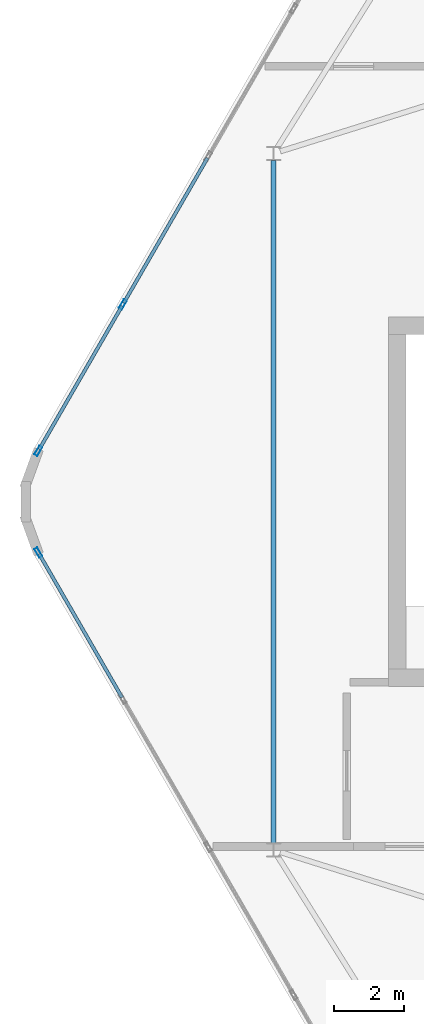
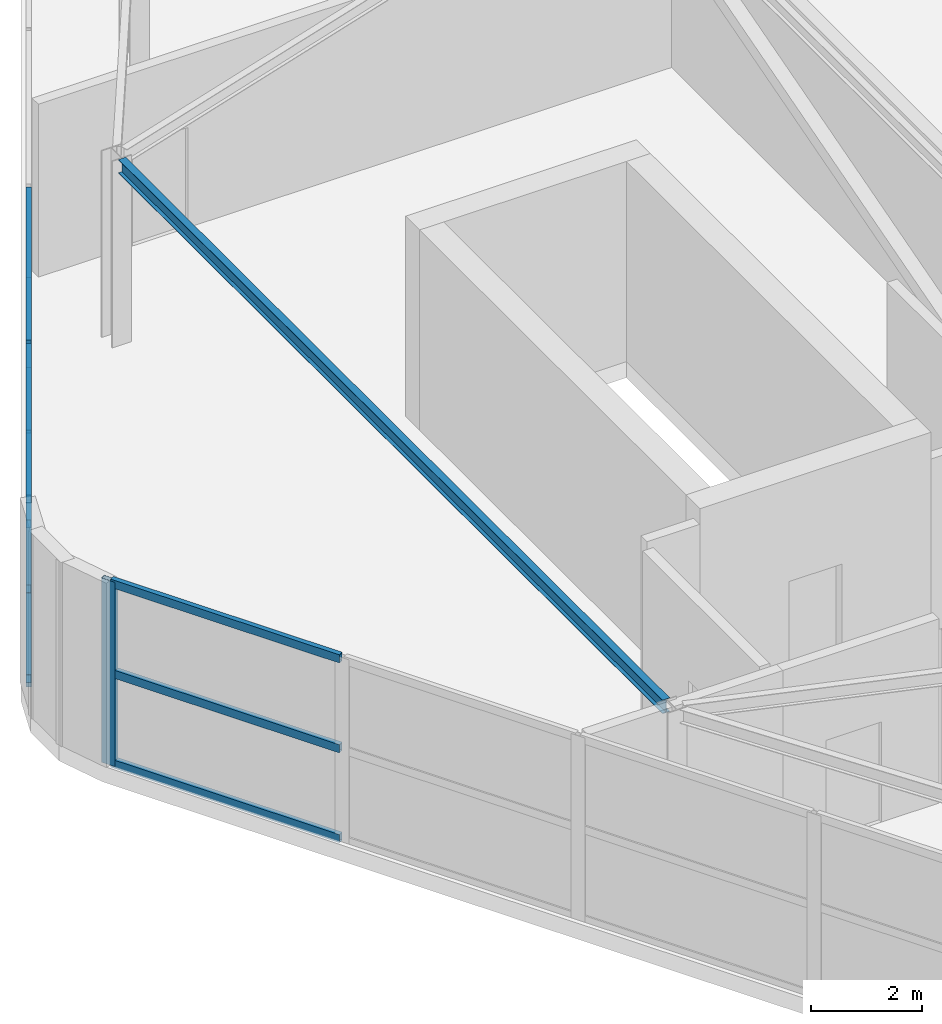
# One storey, part 4 of 14: 12 members, 1 beam, 2 elements without a shape of their own.
"""IFC4 building model written with IfcOpenShell, lengths in metres."""

import ifcopenshell
import ifcopenshell.guid

model = None  # the IFC model being written
_history = None  # IfcOwnerHistory: only IFC2X3 demands one
_inside = {}  # id of a spatial element -> (the spatial element, [elements in it])
_under = {}  # id of a project, library or spatial element -> (it, [spatial elements below it])
_declared = {}  # id of a project -> (the project, [libraries it declares])
_typed = {}  # id of a type object -> (the type object, [elements of that type])
_made_of = {}  # id of a material, layer set ... -> (it, [elements and type objects made of it])


def new_model(schema):
    """Start an empty IFC model of exactly this schema.

    Asked for "IFC4X3", IfcOpenShell would pick the latest addendum, in which some entities
    have other attributes; the version numbers below select the first issue.
    IFC2X3 requires an IfcOwnerHistory on every rooted entity: one is made here for all.
    """
    global model, _history
    if schema == "IFC4X3":
        model = ifcopenshell.file(schema_version=(4, 3, 0, 0))
    else:
        model = ifcopenshell.file(schema=schema)
    _inside.clear()
    _under.clear()
    _declared.clear()
    _typed.clear()
    _made_of.clear()
    _history = None
    if model.schema == "IFC2X3":
        org = make("IfcOrganization", Name="unknown")
        user = make(
            "IfcPersonAndOrganization",
            ThePerson=make("IfcPerson", FamilyName="unknown"),
            TheOrganization=org,
        )
        app = make(
            "IfcApplication",
            ApplicationDeveloper=org,
            Version="unknown",
            ApplicationFullName="unknown",
            ApplicationIdentifier="unknown",
        )
        _history = make(
            "IfcOwnerHistory",
            OwningUser=user,
            OwningApplication=app,
            ChangeAction="ADDED",
            CreationDate=0,
        )
    return model


def make(cls, **values):
    """One entity of the class cls with the attributes given. An attribute that is None is left unset."""
    return model.create_entity(
        cls, **{name: value for name, value in values.items() if value is not None}
    )


def rooted(cls, **values):
    """An entity with a GlobalId (a new one), such as an element, a storey or a relation."""
    return make(cls, GlobalId=ifcopenshell.guid.new(), OwnerHistory=_history, **values)


def si_unit(unit_type, name, prefix=None):
    """IfcSIUnit, for example si_unit("LENGTHUNIT", "METRE", prefix="MILLI")."""
    return make("IfcSIUnit", UnitType=unit_type, Prefix=prefix, Name=name)


def assignment(units):
    """IfcUnitAssignment: the units of a project."""
    return None if units is None else make("IfcUnitAssignment", Units=units)


def point(xyz):
    """IfcCartesianPoint."""
    return None if xyz is None else make("IfcCartesianPoint", Coordinates=xyz)


def direction(xyz):
    """IfcDirection."""
    return None if xyz is None else make("IfcDirection", DirectionRatios=xyz)


def frame(location, z_axis=None, x_axis=None):
    """IfcAxis2Placement3D, a coordinate frame: its origin and axes. An axis left out is left unset."""
    return make(
        "IfcAxis2Placement3D",
        Location=point(location),
        Axis=direction(z_axis),
        RefDirection=direction(x_axis),
    )


def frame_2d(location, x_axis=None):
    """IfcAxis2Placement2D, a coordinate frame in the plane: its origin and x axis."""
    return make(
        "IfcAxis2Placement2D", Location=point(location), RefDirection=direction(x_axis)
    )


def origin():
    """The frame at (0, 0, 0) with its axes left unset."""
    return frame((0.0, 0.0, 0.0))


def origin_2d():
    """The frame at (0, 0) in the plane with its x axis left unset."""
    return frame_2d((0.0, 0.0))


def place(relative_to, where):
    """IfcLocalPlacement: puts the frame where relative to a parent placement (None: the world)."""
    return make(
        "IfcLocalPlacement", PlacementRelTo=relative_to, RelativePlacement=where
    )


def context(
    kind, dimensions, precision=None, world=None, true_north=None, identifier=None
):
    """IfcGeometricRepresentationContext, for example the 3D "Model" context."""
    return make(
        "IfcGeometricRepresentationContext",
        ContextIdentifier=identifier,
        ContextType=kind,
        CoordinateSpaceDimension=dimensions,
        Precision=precision,
        WorldCoordinateSystem=world,
        TrueNorth=true_north,
    )


def subcontext(parent, identifier, kind, view, scale=None):
    """IfcGeometricRepresentationSubContext, for example "Body" below "Model"."""
    return make(
        "IfcGeometricRepresentationSubContext",
        ContextIdentifier=identifier,
        ContextType=kind,
        ParentContext=parent,
        TargetScale=scale,
        TargetView=view,
    )


def project(units=None, contexts=None):
    """IfcProject with its units and contexts."""
    return rooted(
        "IfcProject",
        Name="project",
        RepresentationContexts=contexts,
        UnitsInContext=assignment(units),
    )


def spatial(cls, under=None, at=None, **own):
    """A site, building, storey or space (cls), placed at a placement, below another one or the project."""
    s = rooted(cls, ObjectPlacement=at, **own)
    if under is not None:
        _under.setdefault(under.id(), (under, []))[1].append(s)
    return s


def profile(cls, at=None, kind="AREA", **sizes):
    """A parametric profile (cls). Its sizes go by their IFC names, for example OverallWidth=200.0."""
    return make(cls, ProfileType=kind, Position=at, **sizes)


def hollow_rectangle(**sizes):
    """IfcRectangleHollowProfileDef."""
    return profile("IfcRectangleHollowProfileDef", **sizes)


def i_section(**sizes):
    """IfcIShapeProfileDef."""
    return profile("IfcIShapeProfileDef", **sizes)


def extrude(swept, where, along, depth):
    """IfcExtrudedAreaSolid: the profile swept, set in the frame where, extruded along a direction by depth."""
    return make(
        "IfcExtrudedAreaSolid",
        SweptArea=swept,
        Position=where,
        ExtrudedDirection=direction(along),
        Depth=depth,
    )


def shape(context_of_items, identifier, shape_type, items):
    """IfcShapeRepresentation: the items that make up one representation, for example the "Body"."""
    return make(
        "IfcShapeRepresentation",
        ContextOfItems=context_of_items,
        RepresentationIdentifier=identifier,
        RepresentationType=shape_type,
        Items=items,
    )


def material(Name=None, Category=None):
    """IfcMaterial."""
    return make("IfcMaterial", Name=Name, Category=Category)


def material_profile(
    of_material, cross_section, Name=None, Category=None, Priority=None
):
    """IfcMaterialProfile: a cross section and its material."""
    return make(
        "IfcMaterialProfile",
        Name=Name,
        Material=of_material,
        Profile=cross_section,
        Priority=Priority,
        Category=Category,
    )


def profile_set(profiles, Name=None, composite=None):
    """IfcMaterialProfileSet."""
    return make(
        "IfcMaterialProfileSet",
        Name=Name,
        MaterialProfiles=profiles,
        CompositeProfile=composite,
    )


def made_of(thing, what):
    """Note that an element or type object is made of a material, layer set ...; save() writes the relation."""
    if what is not None:
        _made_of.setdefault(what.id(), (what, []))[1].append(thing)
    return thing


def type_object(cls, material=None, **own):
    """A type object (cls), such as IfcWallType, which elements share."""
    return made_of(rooted(cls, **own), material)


def element(
    cls,
    number,
    at=None,
    inside=None,
    cuts=None,
    type_object=None,
    material=None,
    context=None,
    identifier="Body",
    shape_type=None,
    held_by="IfcProductDefinitionShape",
    body=None,
    shapes=None,
    **own,
):
    """One element of the class cls, such as IfcWall. Its Tag is "e" and its number.

    at: its placement. inside: the storey or other place that contains it. cuts: it is an
    opening in that element (IfcRelVoidsElement). A single representation is given by context,
    identifier, shape_type and body (its items); several are given by shapes. held_by: the class
    of the entity that holds the representations. save() writes the other relations.
    """
    e = rooted(cls, Tag="e%d" % number, ObjectPlacement=at, **own)
    if body is not None:
        shapes = [shape(context, identifier, shape_type, body)]
    if shapes is not None:
        e.Representation = make(held_by, Representations=shapes)
    if inside is not None:
        _inside.setdefault(inside.id(), (inside, []))[1].append(e)
    if cuts is not None:
        rooted(
            "IfcRelVoidsElement", RelatingBuildingElement=cuts, RelatedOpeningElement=e
        )
    if type_object is not None:
        _typed.setdefault(type_object.id(), (type_object, []))[1].append(e)
    return made_of(e, material)


def aggregate(whole, parts):
    """IfcRelAggregates: a whole, such as a stair, and the parts it consists of."""
    return rooted("IfcRelAggregates", RelatingObject=whole, RelatedObjects=parts)


def save(model, path):
    """Write the relations noted so far, then the file.

    IfcRelAggregates (storeys below a building ...), IfcRelContainedInSpatialStructure (elements
    in a storey), IfcRelDefinesByType, IfcRelAssociatesMaterial and IfcRelDeclares: one each for
    every whole, place, type object, material and project.
    """
    for whole, parts in _under.values():
        aggregate(whole, parts)
    for where, things in _inside.values():
        rooted(
            "IfcRelContainedInSpatialStructure",
            RelatedElements=things,
            RelatingStructure=where,
        )
    for kind, things in _typed.values():
        rooted("IfcRelDefinesByType", RelatedObjects=things, RelatingType=kind)
    for what, things in _made_of.values():
        rooted("IfcRelAssociatesMaterial", RelatedObjects=things, RelatingMaterial=what)
    for by, libraries in _declared.values():
        rooted("IfcRelDeclares", RelatingContext=by, RelatedDefinitions=libraries)
    model.write(path)


model = new_model("IFC4")

# Units and contexts
model_context = context("Model", 3, precision=1e-05, world=origin(), true_north=direction((0.0, 1.0)))
body_context = subcontext(model_context, "Body", "Model", "MODEL_VIEW")
ifc_project = project(units=[si_unit("LENGTHUNIT", "METRE"), si_unit("AREAUNIT", "SQUARE_METRE"), si_unit("VOLUMEUNIT", "CUBIC_METRE"), si_unit("PLANEANGLEUNIT", "RADIAN"), si_unit("MASSUNIT", "GRAM", prefix="KILO")], contexts=[model_context])

# Site, building, storey
site_placement = place(None, origin())
site = spatial("IfcSite", under=ifc_project, at=site_placement, CompositionType="ELEMENT")
building_placement = place(site_placement, origin())
building = spatial("IfcBuilding", under=site, at=building_placement, Name="Zuhravey Tower", CompositionType="ELEMENT")
storey_placement = place(building_placement, frame((0.0, 0.0, 379.0)))
storey = spatial("IfcBuildingStorey", under=building, at=storey_placement, Name="L96", CompositionType="ELEMENT", Elevation=379.0)

# Beam
ifc_material_1 = material(Name="Steel SM355", Category="steel")
ifc_material_profile_1 = material_profile(ifc_material_1, i_section(OverallWidth=0.14990234375, OverallDepth=0.300048828125, WebThickness=0.007080078125, FlangeThickness=0.010009765625, at=origin_2d()), Name="H-300x150x7x10")
ifc_profile_set_1 = profile_set([ifc_material_profile_1], Name="Steel SM355")
beam_type = type_object("IfcBeamType", Name="Crown Roof Purlin H300x150", PredefinedType="USERDEFINED", material=ifc_profile_set_1)
beam_placement = place(storey_placement, frame((15.800048828125, 22.2041015625, 3.949951171875), z_axis=(0.0, 1.0, 0.0), x_axis=(-1.0, 0.0, 0.0)))
element("IfcBeam", 1, at=beam_placement, inside=storey, type_object=beam_type, Name="L96 CRP1 BM-L96-WCR-0-1", ObjectType="PURLIN", PredefinedType="USERDEFINED", context=body_context, shape_type="SweptSolid", body=[
    extrude(i_section(OverallWidth=0.14990234375, OverallDepth=0.300048828125, WebThickness=0.007080078125, FlangeThickness=0.010009765625, at=origin_2d()), origin(), (0.0, 0.0, 1.0), 19.591796875),
])

# Curtain wall, member
ifc_material_2 = material(Name="Thermally broken anodised aluminium", Category="aluminium")
curtain_wall_type = type_object("IfcCurtainWallType", Name="Split-Top Crown Screened Curtain Wall CW6", PredefinedType="NOTDEFINED", material=ifc_material_2)
curtain_wall_1_placement = place(storey_placement, origin())
curtain_wall_1 = element("IfcCurtainWall", 2, at=curtain_wall_1_placement, inside=storey, type_object=curtain_wall_type, Name="L96 CW6 CW6-L96-WEST-04", PredefinedType="NOTDEFINED")
ifc_material_3 = material(Name="Anodised aluminium", Category="aluminium")
ifc_material_profile_2 = material_profile(ifc_material_3, hollow_rectangle(XDim=0.10009765625, YDim=0.2900390625, WallThickness=0.006103515625, at=origin_2d()), Name="ALU-RHS-100x290x6")
ifc_profile_set_2 = profile_set([ifc_material_profile_2], Name="Anodised aluminium")
member_type_1 = type_object("IfcMemberType", Name="Heavy Tall-Storey Mullion 100x220", PredefinedType="MULLION", material=ifc_profile_set_2)
member_1_placement = place(storey_placement, frame((9.0439453125, 30.541015625, 0.0), z_axis=(0.0, 0.0, 1.0), x_axis=(-0.866027063754, -0.499997124838, 0.0)))
member_1 = element("IfcMember", 3, at=member_1_placement, type_object=member_type_1, Name="CW6 mullion 6", PredefinedType="MULLION", context=body_context, shape_type="SweptSolid", body=[
    extrude(hollow_rectangle(XDim=0.10009765625, YDim=0.2900390625, WallThickness=0.006103515625, at=origin_2d()), origin(), (0.0, 0.0, 1.0), 4.050048828125),
])

# Curtain wall, members
curtain_wall_2_placement = place(storey_placement, origin())
curtain_wall_2 = element("IfcCurtainWall", 4, at=curtain_wall_2_placement, inside=storey, type_object=curtain_wall_type, Name="L96 CW6 CW6-L96-WEST-08", PredefinedType="NOTDEFINED")
member_2_placement = place(storey_placement, frame((9.0439453125, 33.458984375, 0.0), z_axis=(0.0, 0.0, 1.0), x_axis=(-0.866027063754, 0.499997124838, 0.0)))
member_2 = element("IfcMember", 5, at=member_2_placement, type_object=member_type_1, Name="CW6 mullion 1", PredefinedType="MULLION", context=body_context, shape_type="SweptSolid", body=[
    extrude(hollow_rectangle(XDim=0.10009765625, YDim=0.2900390625, WallThickness=0.006103515625, at=origin_2d()), origin(), (0.0, 0.0, 1.0), 4.050048828125),
])
member_3_placement = place(storey_placement, frame((11.471923828125, 37.6640625, 0.0), z_axis=(0.0, 0.0, 1.0), x_axis=(-0.866027063754, 0.499997124838, 0.0)))
member_3 = element("IfcMember", 6, at=member_3_placement, type_object=member_type_1, Name="CW6 mullion 2", PredefinedType="MULLION", context=body_context, shape_type="SweptSolid", body=[
    extrude(hollow_rectangle(XDim=0.10009765625, YDim=0.2900390625, WallThickness=0.006103515625, at=origin_2d()), origin(), (0.0, 0.0, 1.0), 4.050048828125),
])

# Member
ifc_material_profile_3 = material_profile(ifc_material_3, hollow_rectangle(XDim=0.10009765625, YDim=0.179931640625, WallThickness=0.006103515625, at=origin_2d()), Name="ALU-RHS-100x180x6")
ifc_profile_set_3 = profile_set([ifc_material_profile_3], Name="Anodised aluminium")
member_type_2 = type_object("IfcMemberType", Name="Tall-Storey Transom 100x180", PredefinedType="USERDEFINED", material=ifc_profile_set_3)
member_4_placement = place(storey_placement, frame((11.447021484375, 26.379150390625, 0.050048828125), z_axis=(-0.500003887042, 0.866023159588, 0.0), x_axis=(-0.866023159588, -0.500003887042, 0.0)))
member_4 = element("IfcMember", 7, at=member_4_placement, type_object=member_type_2, Name="CW6 transom 5.1", ObjectType="TRANSOM", PredefinedType="USERDEFINED", context=body_context, shape_type="SweptSolid", body=[
    extrude(hollow_rectangle(XDim=0.10009765625, YDim=0.179931640625, WallThickness=0.006103515625, at=origin_2d()), origin(), (0.0, 0.0, 1.0), 4.755859375),
])

member_5_placement = place(storey_placement, frame((11.447021484375, 26.379150390625, 2.02490234375), z_axis=(-0.500003887042, 0.866023159588, 0.0), x_axis=(-0.866023159588, -0.500003887042, 0.0)))
member_5 = element("IfcMember", 8, at=member_5_placement, type_object=member_type_2, Name="CW6 transom 5.2", ObjectType="TRANSOM", PredefinedType="USERDEFINED", context=body_context, shape_type="SweptSolid", body=[
    extrude(hollow_rectangle(XDim=0.10009765625, YDim=0.179931640625, WallThickness=0.006103515625, at=origin_2d()), origin(), (0.0, 0.0, 1.0), 4.755859375),
])

member_6_placement = place(storey_placement, frame((11.447021484375, 26.379150390625, 4.0), z_axis=(-0.500003887042, 0.866023159588, 0.0), x_axis=(-0.866023159588, -0.500003887042, 0.0)))
member_6 = element("IfcMember", 9, at=member_6_placement, type_object=member_type_2, Name="CW6 transom 5.3", ObjectType="TRANSOM", PredefinedType="USERDEFINED", context=body_context, shape_type="SweptSolid", body=[
    extrude(hollow_rectangle(XDim=0.10009765625, YDim=0.179931640625, WallThickness=0.006103515625, at=origin_2d()), origin(), (0.0, 0.0, 1.0), 4.755859375),
])

aggregate(curtain_wall_1, [member_1, member_4, member_5, member_6])

member_7_placement = place(storey_placement, frame((9.069091796875, 33.502197265625, 0.050048828125), z_axis=(0.500003887042, 0.866023159588, 0.0), x_axis=(-0.866023159588, 0.500003887042, 0.0)))
member_7 = element("IfcMember", 10, at=member_7_placement, type_object=member_type_2, Name="CW6 transom 1.1", ObjectType="TRANSOM", PredefinedType="USERDEFINED", context=body_context, shape_type="SweptSolid", body=[
    extrude(hollow_rectangle(XDim=0.10009765625, YDim=0.179931640625, WallThickness=0.006103515625, at=origin_2d()), origin(), (0.0, 0.0, 1.0), 4.755859375),
])

member_8_placement = place(storey_placement, frame((9.069091796875, 33.502197265625, 2.02490234375), z_axis=(0.500003887042, 0.866023159588, 0.0), x_axis=(-0.866023159588, 0.500003887042, 0.0)))
member_8 = element("IfcMember", 11, at=member_8_placement, type_object=member_type_2, Name="CW6 transom 1.2", ObjectType="TRANSOM", PredefinedType="USERDEFINED", context=body_context, shape_type="SweptSolid", body=[
    extrude(hollow_rectangle(XDim=0.10009765625, YDim=0.179931640625, WallThickness=0.006103515625, at=origin_2d()), origin(), (0.0, 0.0, 1.0), 4.755859375),
])

member_9_placement = place(storey_placement, frame((9.069091796875, 33.502197265625, 4.0), z_axis=(0.500003887042, 0.866023159588, 0.0), x_axis=(-0.866023159588, 0.500003887042, 0.0)))
member_9 = element("IfcMember", 12, at=member_9_placement, type_object=member_type_2, Name="CW6 transom 1.3", ObjectType="TRANSOM", PredefinedType="USERDEFINED", context=body_context, shape_type="SweptSolid", body=[
    extrude(hollow_rectangle(XDim=0.10009765625, YDim=0.179931640625, WallThickness=0.006103515625, at=origin_2d()), origin(), (0.0, 0.0, 1.0), 4.755859375),
])

member_10_placement = place(storey_placement, frame((11.496826171875, 37.70751953125, 0.050048828125), z_axis=(0.50003466983, 0.866005386223, 0.0), x_axis=(-0.866005386223, 0.50003466983, 0.0)))
member_10 = element("IfcMember", 13, at=member_10_placement, type_object=member_type_2, Name="CW6 transom 2.1", ObjectType="TRANSOM", PredefinedType="USERDEFINED", context=body_context, shape_type="SweptSolid", body=[
    extrude(hollow_rectangle(XDim=0.10009765625, YDim=0.179931640625, WallThickness=0.006103515625, at=origin_2d()), origin(), (0.0, 0.0, 1.0), 4.805908203125),
])

member_11_placement = place(storey_placement, frame((11.496826171875, 37.70751953125, 2.02490234375), z_axis=(0.50003466983, 0.866005386223, 0.0), x_axis=(-0.866005386223, 0.50003466983, 0.0)))
member_11 = element("IfcMember", 14, at=member_11_placement, type_object=member_type_2, Name="CW6 transom 2.2", ObjectType="TRANSOM", PredefinedType="USERDEFINED", context=body_context, shape_type="SweptSolid", body=[
    extrude(hollow_rectangle(XDim=0.10009765625, YDim=0.179931640625, WallThickness=0.006103515625, at=origin_2d()), origin(), (0.0, 0.0, 1.0), 4.805908203125),
])

member_12_placement = place(storey_placement, frame((11.496826171875, 37.70751953125, 4.0), z_axis=(0.50003466983, 0.866005386223, 0.0), x_axis=(-0.866005386223, 0.50003466983, 0.0)))
member_12 = element("IfcMember", 15, at=member_12_placement, type_object=member_type_2, Name="CW6 transom 2.3", ObjectType="TRANSOM", PredefinedType="USERDEFINED", context=body_context, shape_type="SweptSolid", body=[
    extrude(hollow_rectangle(XDim=0.10009765625, YDim=0.179931640625, WallThickness=0.006103515625, at=origin_2d()), origin(), (0.0, 0.0, 1.0), 4.805908203125),
])

aggregate(curtain_wall_2, [member_2, member_3, member_7, member_8, member_9, member_10, member_11, member_12])

save(model, "model.ifc")
